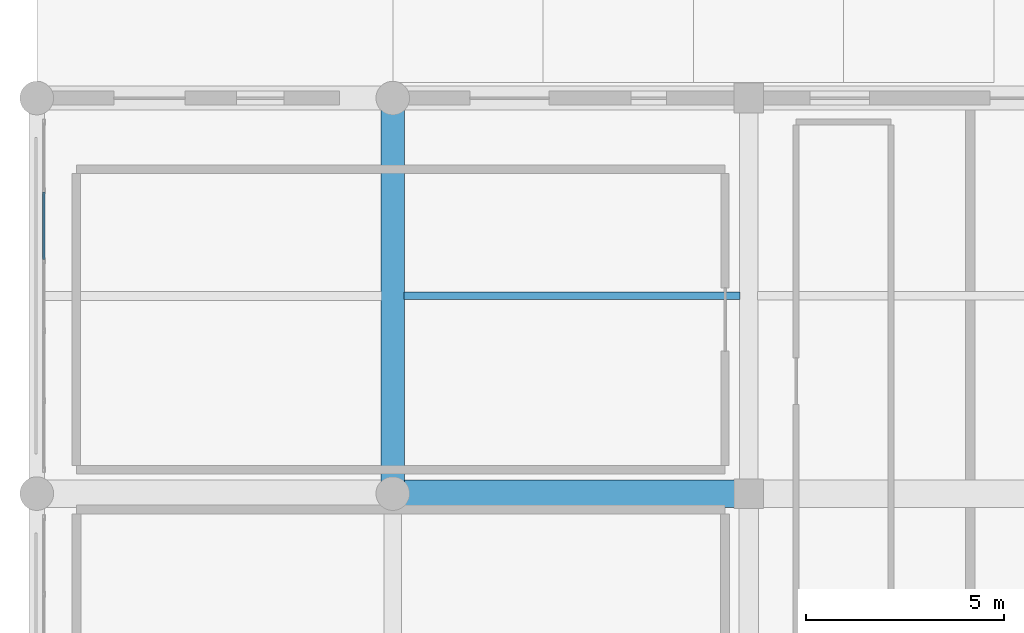
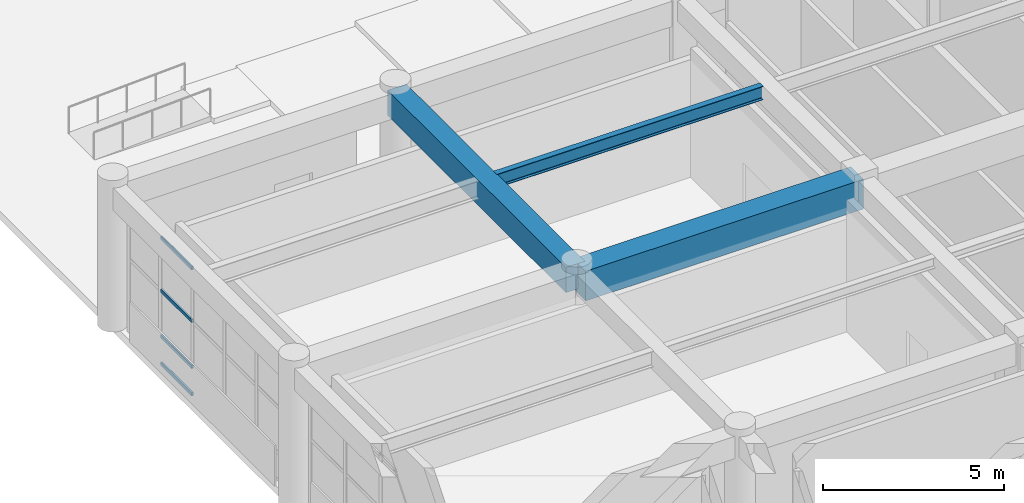
# One storey, part 22 of 128: 4 members, 3 beams, 1 element without a shape of its own.
"""IFC4 building model written with IfcOpenShell, lengths in metres."""

from ifc_helpers import new_model, si_unit, direction, frame, origin, origin_2d, place, context, subcontext, project, spatial, rectangle, hollow_rectangle, i_section, extrude, material, material_profile, profile_set, type_object, element, aggregate, save


model = new_model("IFC4")

# Units and contexts
model_context = context("Model", 3, precision=1e-05, world=origin(), true_north=direction((0.0, 1.0)))
body_context = subcontext(model_context, "Body", "Model", "MODEL_VIEW")
ifc_project = project(units=[si_unit("LENGTHUNIT", "METRE"), si_unit("AREAUNIT", "SQUARE_METRE"), si_unit("VOLUMEUNIT", "CUBIC_METRE"), si_unit("PLANEANGLEUNIT", "RADIAN"), si_unit("MASSUNIT", "GRAM", prefix="KILO")], contexts=[model_context])

# Site, building, storey
site_placement = place(None, origin())
site = spatial("IfcSite", under=ifc_project, at=site_placement, CompositionType="ELEMENT")
building_placement = place(site_placement, origin())
building = spatial("IfcBuilding", under=site, at=building_placement, Name="Miravela Opera House", CompositionType="ELEMENT")
storey_placement = place(building_placement, origin())
storey = spatial("IfcBuildingStorey", under=building, at=storey_placement, Name="L00", CompositionType="ELEMENT", Elevation=0.0)

# Curtain wall, members
ifc_material_1 = material(Name="Anodised architectural bronze aluminium 6063-T6", Category="aluminium")
curtain_wall_type = type_object("IfcCurtainWallType", Name="ARC-CW-07", PredefinedType="NOTDEFINED", material=ifc_material_1)
curtain_wall_placement = place(storey_placement, origin())
curtain_wall = element("IfcCurtainWall", 1, at=curtain_wall_placement, inside=storey, type_object=curtain_wall_type, Name="Courtyard Arcade Curtain Wall CW-L00-194", PredefinedType="NOTDEFINED")
ifc_material_profile_1 = material_profile(ifc_material_1, hollow_rectangle(XDim=0.06005859375, YDim=0.114990234375, WallThickness=0.00390625, InnerFilletRadius=0.001953125, OuterFilletRadius=0.00390625, at=origin_2d()), Name="CWT-60X115")
ifc_profile_set_1 = profile_set([ifc_material_profile_1])
member_type = type_object("IfcMemberType", Name="ARC-CWT-115", PredefinedType="USERDEFINED", material=ifc_profile_set_1)
member_1_placement = place(storey_placement, frame((0.179931640625, 23.9140625, 0.030029296875), z_axis=(0.0, 1.0, 0.0), x_axis=(-1.0, 0.0, 0.0)))
member_1 = element("IfcMember", 2, at=member_1_placement, type_object=member_type, Name="CW-07 transom 4.1", ObjectType="TRANSOM", PredefinedType="USERDEFINED", context=body_context, shape_type="SweptSolid", body=[
    extrude(hollow_rectangle(XDim=0.06005859375, YDim=0.114990234375, WallThickness=0.00390625, InnerFilletRadius=0.001953125, OuterFilletRadius=0.00390625, at=origin_2d()), origin(), (0.0, 0.0, 1.0), 1.7080078125),
])
member_2_placement = place(storey_placement, frame((0.179931640625, 23.9140625, 0.949951171875), z_axis=(0.0, 1.0, 0.0), x_axis=(-1.0, 0.0, 0.0)))
member_2 = element("IfcMember", 3, at=member_2_placement, type_object=member_type, Name="CW-07 transom 4.2", ObjectType="TRANSOM", PredefinedType="USERDEFINED", context=body_context, shape_type="SweptSolid", body=[
    extrude(hollow_rectangle(XDim=0.06005859375, YDim=0.114990234375, WallThickness=0.00390625, InnerFilletRadius=0.001953125, OuterFilletRadius=0.00390625, at=origin_2d()), origin(), (0.0, 0.0, 1.0), 1.7080078125),
])
member_3_placement = place(storey_placement, frame((0.179931640625, 23.9140625, 2.493896484375), z_axis=(0.0, 1.0, 0.0), x_axis=(-1.0, 0.0, 0.0)))
member_3 = element("IfcMember", 4, at=member_3_placement, type_object=member_type, Name="CW-07 transom 4.3", ObjectType="TRANSOM", PredefinedType="USERDEFINED", context=body_context, shape_type="SweptSolid", body=[
    extrude(hollow_rectangle(XDim=0.06005859375, YDim=0.114990234375, WallThickness=0.00390625, InnerFilletRadius=0.001953125, OuterFilletRadius=0.00390625, at=origin_2d()), origin(), (0.0, 0.0, 1.0), 1.7080078125),
])
member_4_placement = place(storey_placement, frame((0.179931640625, 23.9140625, 4.27001953125), z_axis=(0.0, 1.0, 0.0), x_axis=(-1.0, 0.0, 0.0)))
member_4 = element("IfcMember", 5, at=member_4_placement, type_object=member_type, Name="CW-07 transom 4.4", ObjectType="TRANSOM", PredefinedType="USERDEFINED", context=body_context, shape_type="SweptSolid", body=[
    extrude(hollow_rectangle(XDim=0.06005859375, YDim=0.114990234375, WallThickness=0.00390625, InnerFilletRadius=0.001953125, OuterFilletRadius=0.00390625, at=origin_2d()), origin(), (0.0, 0.0, 1.0), 1.7080078125),
])
aggregate(curtain_wall, [member_1, member_2, member_3, member_4])

# Beams
ifc_material_2 = material(Name="Concrete C40/50", Category="concrete")
ifc_material_profile_2 = material_profile(ifc_material_2, rectangle(XDim=0.60009765625, YDim=0.85009765625, at=origin_2d()), Name="RC-BM-600X850")
ifc_profile_set_2 = profile_set([ifc_material_profile_2])
beam_type_1 = type_object("IfcBeamType", Name="STR-BM-RC600X850", PredefinedType="BEAM", material=ifc_profile_set_2)
beam_1_placement = place(storey_placement, frame((9.0, 18.080078125, 4.425048828125), z_axis=(0.0, 1.0, 0.0), x_axis=(-1.0, 0.0, 0.0)))
element("IfcBeam", 6, at=beam_1_placement, inside=storey, type_object=beam_type_1, Name="Floor Girder L00 2/C-D", PredefinedType="BEAM", context=body_context, shape_type="SweptSolid", body=[
    extrude(rectangle(XDim=0.60009765625, YDim=0.85009765625, at=origin_2d()), origin(), (0.0, 0.0, 1.0), 9.83984375),
])
ifc_material_profile_3 = material_profile(ifc_material_2, rectangle(XDim=0.699951171875, YDim=1.0, at=origin_2d()), Name="RC-BM-700X1000")
ifc_profile_set_3 = profile_set([ifc_material_profile_3])
beam_type_2 = type_object("IfcBeamType", Name="STR-BM-RC700X1000", PredefinedType="BEAM", material=ifc_profile_set_3)
beam_2_placement = place(storey_placement, frame((9.080078125, 18.0, 4.35009765625), z_axis=(1.0, 0.0, 0.0), x_axis=(0.0, 1.0, 0.0)))
element("IfcBeam", 7, at=beam_2_placement, inside=storey, type_object=beam_type_2, Name="Floor Girder L00 2-3/C", PredefinedType="BEAM", context=body_context, shape_type="SweptSolid", body=[
    extrude(rectangle(XDim=0.699951171875, YDim=1.0, at=origin_2d()), origin(), (0.0, 0.0, 1.0), 8.83984375),
])
ifc_material_3 = material(Name="Structural steel ASTM A992 Gr. 50", Category="steel")
ifc_material_profile_4 = material_profile(ifc_material_3, i_section(OverallWidth=0.19091796875, OverallDepth=0.4599609375, WebThickness=0.010009765625, FlangeThickness=0.01611328125, FilletRadius=0.014892578125, at=origin_2d()), Name="W460X82")
ifc_profile_set_4 = profile_set([ifc_material_profile_4])
beam_type_3 = type_object("IfcBeamType", Name="STR-BM-W460X82", PredefinedType="JOIST", material=ifc_profile_set_4)
beam_3_placement = place(storey_placement, frame((9.284912109375, 23.0, 4.6201171875), z_axis=(1.0, 0.0, 0.0), x_axis=(0.0, 1.0, 0.0)))
element("IfcBeam", 8, at=beam_3_placement, inside=storey, type_object=beam_type_3, Name="Secondary Floor Joist L00 2-3/C-D", PredefinedType="JOIST", context=body_context, shape_type="SweptSolid", body=[
    extrude(i_section(OverallWidth=0.19091796875, OverallDepth=0.4599609375, WebThickness=0.010009765625, FlangeThickness=0.01611328125, FilletRadius=0.014892578125, at=origin_2d()), origin(), (0.0, 0.0, 1.0), 8.489990234375),
])

save(model, "model.ifc")
